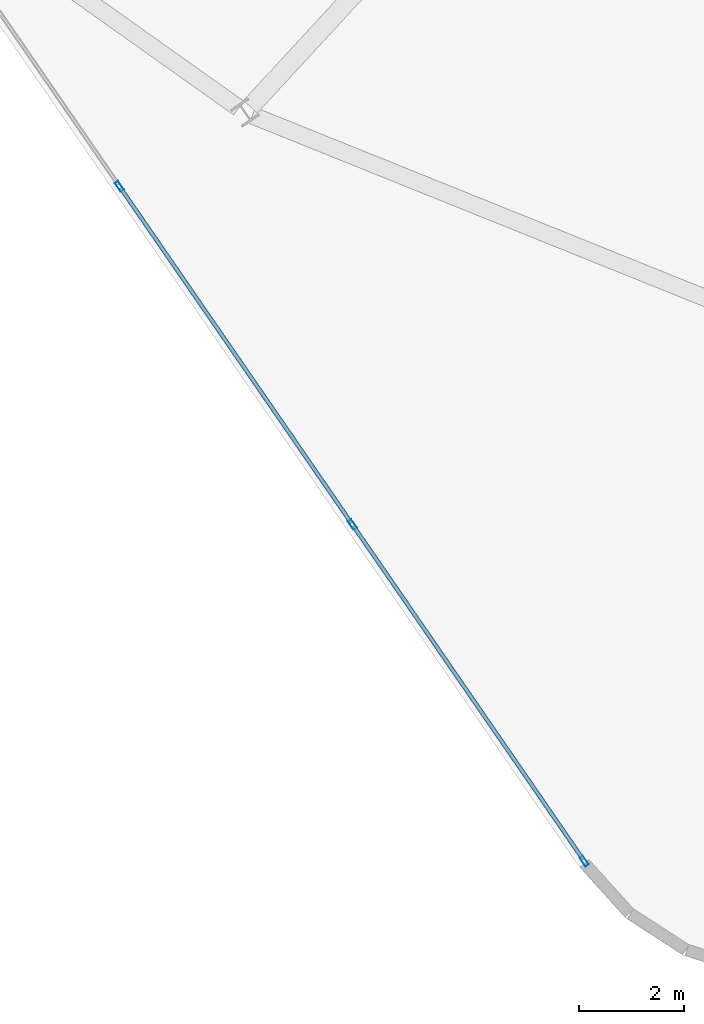
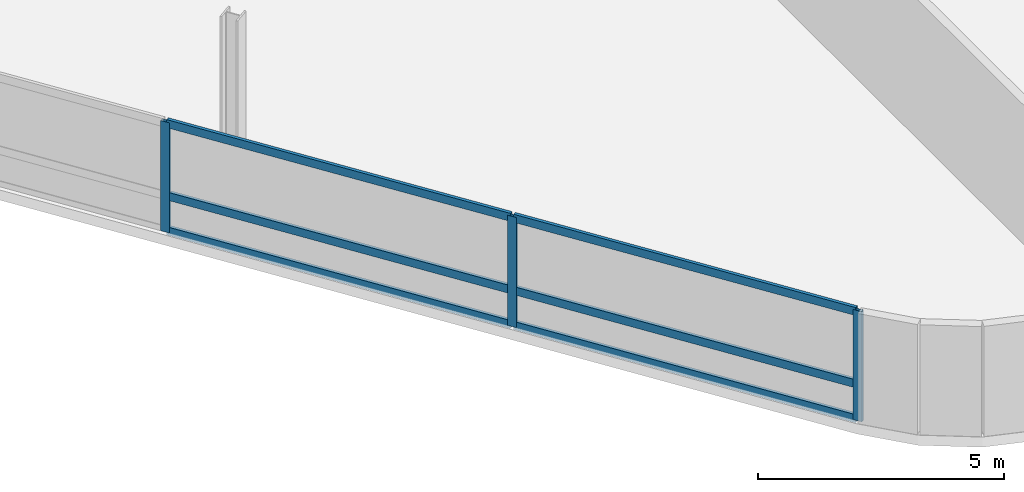
# One storey, part 3 of 21: 9 members, 1 element without a shape of its own.
"""IFC4 building model written with IfcOpenShell, lengths in metres."""

from ifc_helpers import new_model, si_unit, direction, frame, origin, origin_2d, place, context, subcontext, project, spatial, hollow_rectangle, extrude, material, layer, layer_set, material_profile, profile_set, type_object, element, aggregate, save


model = new_model("IFC4")

# Units and contexts
model_context = context("Model", 3, precision=1e-05, world=origin(), true_north=direction((0.0, 1.0)))
body_context = subcontext(model_context, "Body", "Model", "MODEL_VIEW")
ifc_project = project(units=[si_unit("LENGTHUNIT", "METRE"), si_unit("AREAUNIT", "SQUARE_METRE"), si_unit("VOLUMEUNIT", "CUBIC_METRE"), si_unit("PLANEANGLEUNIT", "RADIAN"), si_unit("MASSUNIT", "GRAM", prefix="KILO")], contexts=[model_context])

# Site, building, storey
site_placement = place(None, origin())
site = spatial("IfcSite", under=ifc_project, at=site_placement, CompositionType="ELEMENT")
building_placement = place(site_placement, origin())
building = spatial("IfcBuilding", under=site, at=building_placement, Name="Varnelok Gate Tower", CompositionType="ELEMENT")
storey_placement = place(building_placement, frame((0.0, 0.0, 276.699951171875)))
storey = spatial("IfcBuildingStorey", under=building, at=storey_placement, Name="L71", CompositionType="ELEMENT", Elevation=276.699951171875)

# Curtain wall, members
ifc_material = material(Name="Anodized Aluminum Alloy 6063-T6", Category="aluminium")
ifc_layer = layer(ifc_material, 0.179931640625)
ifc_layer_set = layer_set([ifc_layer], Name="Anodized Aluminum Alloy 6063-T6")
curtain_wall_type = type_object("IfcCurtainWallType", Name="CW4-RESIDENCE-VISION", PredefinedType="USERDEFINED", material=ifc_layer_set)
curtain_wall_placement = place(storey_placement, origin())
curtain_wall = element("IfcCurtainWall", 1, at=curtain_wall_placement, inside=storey, type_object=curtain_wall_type, Name="L71 West End Vision Curtain Wall", ObjectType="UNITISED CURTAIN WALL", PredefinedType="USERDEFINED")
ifc_material_profile_1 = material_profile(ifc_material, hollow_rectangle(XDim=0.074951171875, YDim=0.199951171875, WallThickness=0.00390625, at=origin_2d()), Name="ALU200X75X4")
ifc_profile_set_1 = profile_set([ifc_material_profile_1], Name="Anodized Aluminum Alloy 6063-T6")
member_type_1 = type_object("IfcMemberType", Name="CW-MULL-200", PredefinedType="MULLION", material=ifc_profile_set_1)
member_1_placement = place(storey_placement, frame((20.884521484375, -6.21337890625, 0.0), z_axis=(0.0, 0.0, 1.0), x_axis=(-0.823532290241, -0.567269395376, 0.0)))
member_1 = element("IfcMember", 2, at=member_1_placement, type_object=member_type_1, Name="CW4 mullion 1", PredefinedType="MULLION", context=body_context, shape_type="SweptSolid", body=[
    extrude(hollow_rectangle(XDim=0.074951171875, YDim=0.199951171875, WallThickness=0.00390625, at=origin_2d()), origin(), (0.0, 0.0, 1.0), 2.72998046875),
])
member_2_placement = place(storey_placement, frame((16.481201171875, 0.17919921875, 0.0), z_axis=(0.0, 0.0, 1.0), x_axis=(-0.823532290241, -0.567269395376, 0.0)))
member_2 = element("IfcMember", 3, at=member_2_placement, type_object=member_type_1, Name="CW4 mullion 2", PredefinedType="MULLION", context=body_context, shape_type="SweptSolid", body=[
    extrude(hollow_rectangle(XDim=0.074951171875, YDim=0.199951171875, WallThickness=0.00390625, at=origin_2d()), origin(), (0.0, 0.0, 1.0), 2.72998046875),
])
member_3_placement = place(storey_placement, frame((12.056396484375, 6.602783203125, 0.0), z_axis=(0.0, 0.0, 1.0), x_axis=(-0.823532290241, -0.567269395376, 0.0)))
member_3 = element("IfcMember", 4, at=member_3_placement, type_object=member_type_1, Name="CW4 mullion 3", PredefinedType="MULLION", context=body_context, shape_type="SweptSolid", body=[
    extrude(hollow_rectangle(XDim=0.074951171875, YDim=0.199951171875, WallThickness=0.00390625, at=origin_2d()), origin(), (0.0, 0.0, 1.0), 2.72998046875),
])
ifc_material_profile_2 = material_profile(ifc_material, hollow_rectangle(XDim=0.074951171875, YDim=0.199951171875, WallThickness=0.00390625, at=origin_2d()), Name="ALU200X75X4")
ifc_profile_set_2 = profile_set([ifc_material_profile_2], Name="Anodized Aluminum Alloy 6063-T6")
member_type_2 = type_object("IfcMemberType", Name="CW-TRAN-200", PredefinedType="USERDEFINED", material=ifc_profile_set_2)
member_4_placement = place(storey_placement, frame((20.86328125, -6.1826171875, 0.03759765625), z_axis=(-0.567256418128, 0.82354122914, 0.0), x_axis=(-0.82354122914, -0.567256418128, 0.0)))
member_4 = element("IfcMember", 5, at=member_4_placement, type_object=member_type_2, Name="CW4 transom 1.1", ObjectType="TRANSOM", PredefinedType="USERDEFINED", context=body_context, shape_type="SweptSolid", body=[
    extrude(hollow_rectangle(XDim=0.074951171875, YDim=0.199951171875, WallThickness=0.00390625, at=origin_2d()), origin(), (0.0, 0.0, 1.0), 7.6875),
])
member_5_placement = place(storey_placement, frame((20.86328125, -6.1826171875, 0.900146484375), z_axis=(-0.567256418128, 0.82354122914, 0.0), x_axis=(-0.82354122914, -0.567256418128, 0.0)))
member_5 = element("IfcMember", 6, at=member_5_placement, type_object=member_type_2, Name="CW4 transom 1.2", ObjectType="TRANSOM", PredefinedType="USERDEFINED", context=body_context, shape_type="SweptSolid", body=[
    extrude(hollow_rectangle(XDim=0.074951171875, YDim=0.199951171875, WallThickness=0.00390625, at=origin_2d()), origin(), (0.0, 0.0, 1.0), 7.6875),
])
member_6_placement = place(storey_placement, frame((20.86328125, -6.1826171875, 2.692626953125), z_axis=(-0.567256418128, 0.82354122914, 0.0), x_axis=(-0.82354122914, -0.567256418128, 0.0)))
member_6 = element("IfcMember", 7, at=member_6_placement, type_object=member_type_2, Name="CW4 transom 1.3", ObjectType="TRANSOM", PredefinedType="USERDEFINED", context=body_context, shape_type="SweptSolid", body=[
    extrude(hollow_rectangle(XDim=0.074951171875, YDim=0.199951171875, WallThickness=0.00390625, at=origin_2d()), origin(), (0.0, 0.0, 1.0), 7.6875),
])
member_7_placement = place(storey_placement, frame((16.459716796875, 0.210205078125, 0.03759765625), z_axis=(-0.567260941086, 0.823538113701, 0.0), x_axis=(-0.823538113701, -0.567260941086, 0.0)))
member_7 = element("IfcMember", 8, at=member_7_placement, type_object=member_type_2, Name="CW4 transom 2.1", ObjectType="TRANSOM", PredefinedType="USERDEFINED", context=body_context, shape_type="SweptSolid", body=[
    extrude(hollow_rectangle(XDim=0.074951171875, YDim=0.199951171875, WallThickness=0.00390625, at=origin_2d()), origin(), (0.0, 0.0, 1.0), 7.72509765625),
])
member_8_placement = place(storey_placement, frame((16.459716796875, 0.210205078125, 0.900146484375), z_axis=(-0.567260941086, 0.823538113701, 0.0), x_axis=(-0.823538113701, -0.567260941086, 0.0)))
member_8 = element("IfcMember", 9, at=member_8_placement, type_object=member_type_2, Name="CW4 transom 2.2", ObjectType="TRANSOM", PredefinedType="USERDEFINED", context=body_context, shape_type="SweptSolid", body=[
    extrude(hollow_rectangle(XDim=0.074951171875, YDim=0.199951171875, WallThickness=0.00390625, at=origin_2d()), origin(), (0.0, 0.0, 1.0), 7.72509765625),
])
member_9_placement = place(storey_placement, frame((16.459716796875, 0.210205078125, 2.692626953125), z_axis=(-0.567260941086, 0.823538113701, 0.0), x_axis=(-0.823538113701, -0.567260941086, 0.0)))
member_9 = element("IfcMember", 10, at=member_9_placement, type_object=member_type_2, Name="CW4 transom 2.3", ObjectType="TRANSOM", PredefinedType="USERDEFINED", context=body_context, shape_type="SweptSolid", body=[
    extrude(hollow_rectangle(XDim=0.074951171875, YDim=0.199951171875, WallThickness=0.00390625, at=origin_2d()), origin(), (0.0, 0.0, 1.0), 7.72509765625),
])
aggregate(curtain_wall, [member_1, member_2, member_3, member_4, member_5, member_6, member_7, member_8, member_9])

save(model, "model.ifc")
